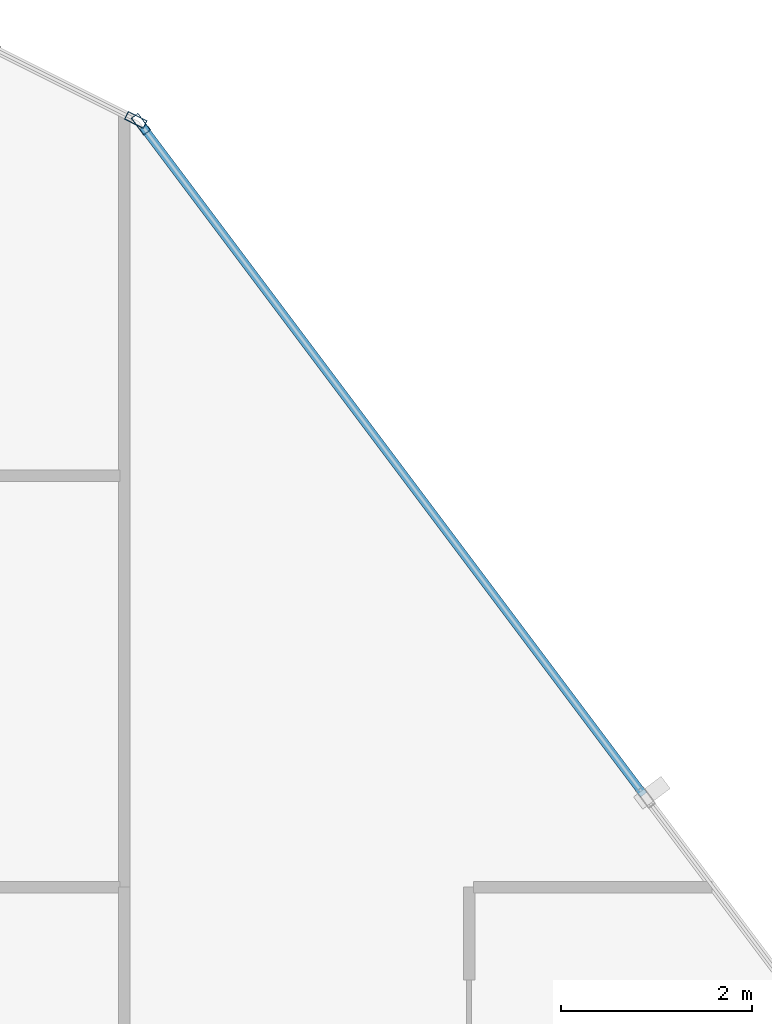
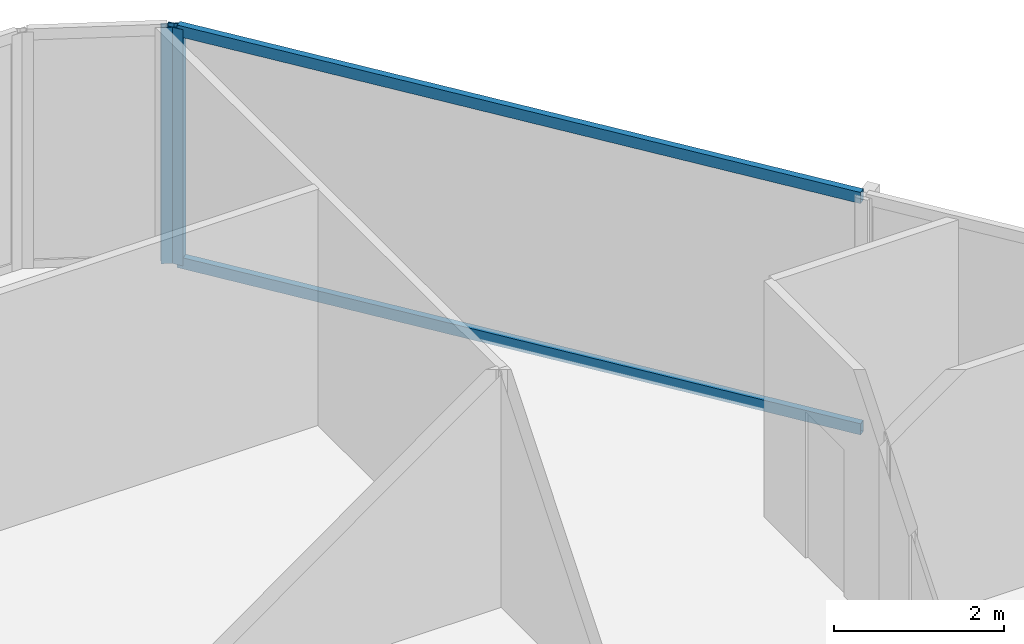
# One storey, part 17 of 34: 4 members, 2 elements without a shape of their own.
"""IFC4 building model written with IfcOpenShell, lengths in metres."""

from ifc_helpers import new_model, si_unit, direction, frame, origin, origin_2d, place, context, subcontext, project, spatial, hollow_rectangle, extrude, material, layer, layer_set, material_profile, profile_set, type_object, element, aggregate, save


model = new_model("IFC4")

# Units and contexts
model_context = context("Model", 3, precision=1e-05, world=origin(), true_north=direction((0.0, 1.0)))
body_context = subcontext(model_context, "Body", "Model", "MODEL_VIEW")
ifc_project = project(units=[si_unit("LENGTHUNIT", "METRE"), si_unit("AREAUNIT", "SQUARE_METRE"), si_unit("VOLUMEUNIT", "CUBIC_METRE"), si_unit("PLANEANGLEUNIT", "RADIAN"), si_unit("MASSUNIT", "GRAM", prefix="KILO")], contexts=[model_context])

# Site, building, storey
site_placement = place(None, origin())
site = spatial("IfcSite", under=ifc_project, at=site_placement, CompositionType="ELEMENT")
building_placement = place(site_placement, origin())
building = spatial("IfcBuilding", under=site, at=building_placement, Name="Keshet Zoharim Tower", CompositionType="ELEMENT")
storey_placement = place(building_placement, frame((0.0, 0.0, 70.10009765625)))
storey = spatial("IfcBuildingStorey", under=building, at=storey_placement, Name="L16", CompositionType="ELEMENT", Elevation=70.10009765625)

# Curtain wall, member
ifc_material = material(Name="Aluminium 6063-T6", Category="aluminium")
ifc_layer = layer(ifc_material, 0.169921875)
ifc_layer_set = layer_set([ifc_layer], Name="Aluminium 6063-T6")
curtain_wall_type = type_object("IfcCurtainWallType", Name="CW-SYS-02", PredefinedType="NOTDEFINED", material=ifc_layer_set)
curtain_wall_1_placement = place(storey_placement, origin())
curtain_wall_1 = element("IfcCurtainWall", 1, at=curtain_wall_1_placement, inside=storey, type_object=curtain_wall_type, Name="L16 Unitised Curtain Wall 08", PredefinedType="NOTDEFINED")
ifc_material_profile_1 = material_profile(ifc_material, hollow_rectangle(XDim=0.090087890625, YDim=0.219970703125, WallThickness=0.0048828125, at=origin_2d()), Name="MUL-90x220")
ifc_profile_set_1 = profile_set([ifc_material_profile_1], Name="Aluminium 6063-T6")
member_type_1 = type_object("IfcMemberType", Name="CWM-M22", PredefinedType="MULLION", material=ifc_profile_set_1)
member_1_placement = place(storey_placement, frame((51.568603515625, 53.11572265625, 0.0), z_axis=(0.0, 0.0, 1.0), x_axis=(0.447213595499, 0.894427191001, 0.0)))
member_1 = element("IfcMember", 2, at=member_1_placement, type_object=member_type_1, Name="CW-02 mullion 2", PredefinedType="MULLION", context=body_context, shape_type="SweptSolid", body=[
    extrude(hollow_rectangle(XDim=0.090087890625, YDim=0.219970703125, WallThickness=0.0048828125, at=origin_2d()), origin(), (0.0, 0.0, 1.0), 3.385009765625),
])
aggregate(curtain_wall_1, [member_1])

# Curtain wall, members
curtain_wall_2_placement = place(storey_placement, origin())
curtain_wall_2 = element("IfcCurtainWall", 3, at=curtain_wall_2_placement, inside=storey, type_object=curtain_wall_type, Name="L16 Unitised Curtain Wall 09", PredefinedType="NOTDEFINED")
member_2_placement = place(storey_placement, frame((51.62109375, 53.072021484375, 0.0), z_axis=(0.0, 0.0, 1.0), x_axis=(0.799999999998, 0.600000000002, 0.0)))
member_2 = element("IfcMember", 4, at=member_2_placement, type_object=member_type_1, Name="CW-02 mullion 1", PredefinedType="MULLION", context=body_context, shape_type="SweptSolid", body=[
    extrude(hollow_rectangle(XDim=0.090087890625, YDim=0.219970703125, WallThickness=0.0048828125, at=origin_2d()), origin(), (0.0, 0.0, 1.0), 3.385009765625),
])
ifc_material_profile_2 = material_profile(ifc_material, hollow_rectangle(XDim=0.0849609375, YDim=0.159912109375, WallThickness=0.00439453125, at=origin_2d()), Name="TRN-85x160")
ifc_profile_set_2 = profile_set([ifc_material_profile_2], Name="Aluminium 6063-T6")
member_type_2 = type_object("IfcMemberType", Name="CWT-T16", PredefinedType="USERDEFINED", material=ifc_profile_set_2)
member_3_placement = place(storey_placement, frame((51.64208984375, 53.0439453125, 0.034912109375), z_axis=(0.599991043201, -0.800006717521, 0.0), x_axis=(0.800006717521, 0.599991043201, 0.0)))
member_3 = element("IfcMember", 5, at=member_3_placement, type_object=member_type_2, Name="CW-02 transom 1.1", ObjectType="TRANSOM", PredefinedType="USERDEFINED", context=body_context, shape_type="SweptSolid", body=[
    extrude(hollow_rectangle(XDim=0.0849609375, YDim=0.159912109375, WallThickness=0.00439453125, at=origin_2d()), origin(), (0.0, 0.0, 1.0), 8.722412109375),
])
member_4_placement = place(storey_placement, frame((51.64208984375, 53.0439453125, 3.349853515625), z_axis=(0.599991043201, -0.800006717521, 0.0), x_axis=(0.800006717521, 0.599991043201, 0.0)))
member_4 = element("IfcMember", 6, at=member_4_placement, type_object=member_type_2, Name="CW-02 transom 1.2", ObjectType="TRANSOM", PredefinedType="USERDEFINED", context=body_context, shape_type="SweptSolid", body=[
    extrude(hollow_rectangle(XDim=0.0849609375, YDim=0.159912109375, WallThickness=0.00439453125, at=origin_2d()), origin(), (0.0, 0.0, 1.0), 8.722412109375),
])
aggregate(curtain_wall_2, [member_2, member_3, member_4])

save(model, "model.ifc")
